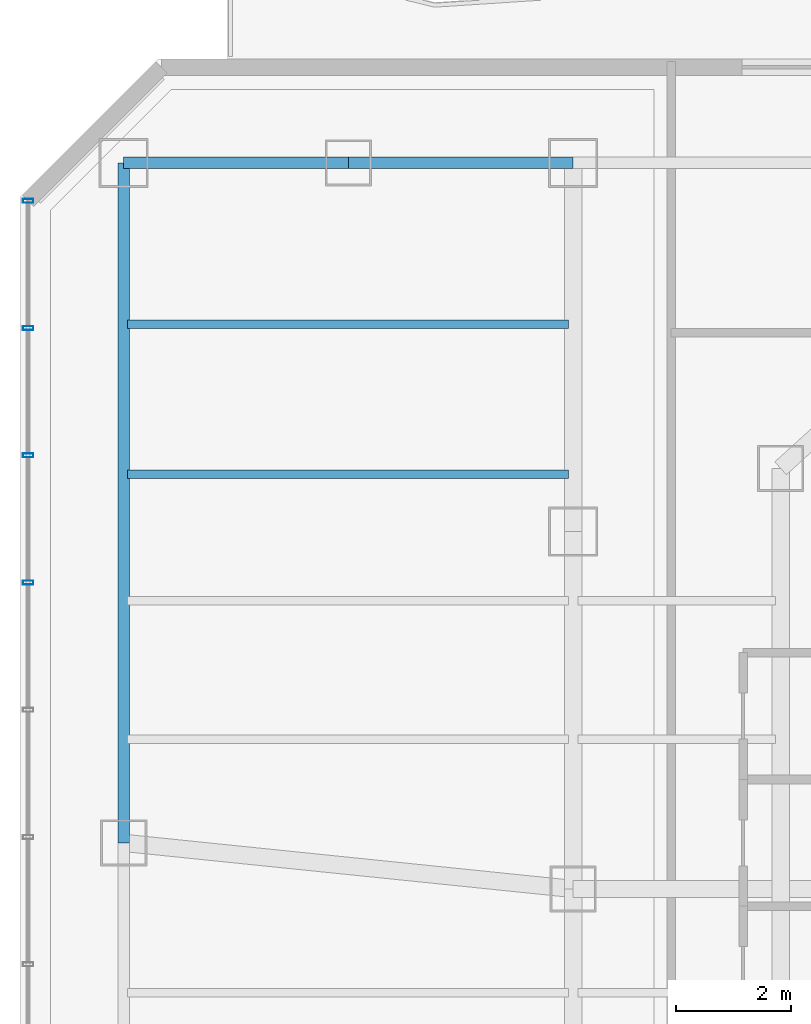
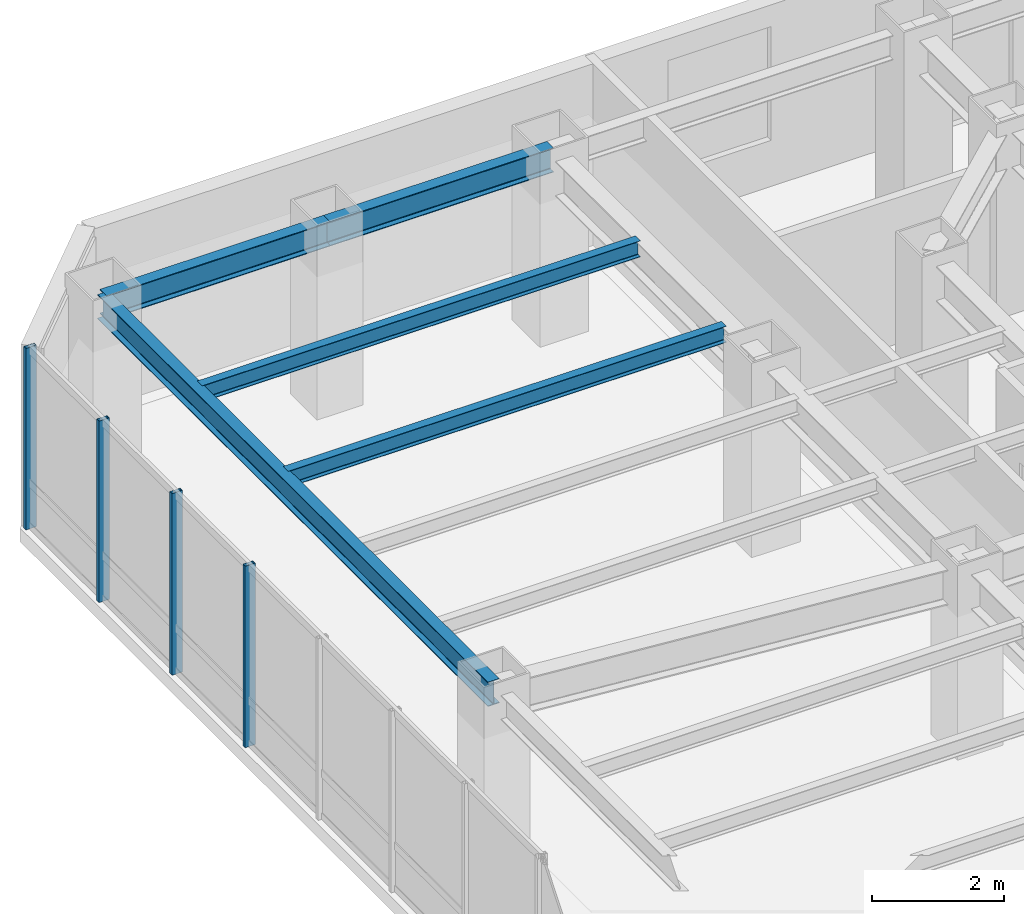
# One storey, part 17 of 26: 5 beams, 4 members, 1 element without a shape of its own.
"""IFC4 building model written with IfcOpenShell, lengths in metres."""

from ifc_helpers import new_model, si_unit, direction, frame, origin, origin_2d, place, context, subcontext, project, spatial, hollow_rectangle, i_section, extrude, material, layer, layer_set, material_profile, profile_set, type_object, element, aggregate, save


model = new_model("IFC4")

# Units and contexts
model_context = context("Model", 3, precision=1e-05, world=origin(), true_north=direction((0.0, 1.0)))
body_context = subcontext(model_context, "Body", "Model", "MODEL_VIEW")
ifc_project = project(units=[si_unit("LENGTHUNIT", "METRE"), si_unit("AREAUNIT", "SQUARE_METRE"), si_unit("VOLUMEUNIT", "CUBIC_METRE"), si_unit("PLANEANGLEUNIT", "RADIAN"), si_unit("MASSUNIT", "GRAM", prefix="KILO")], contexts=[model_context])

# Site, building, storey
site_placement = place(None, origin())
site = spatial("IfcSite", under=ifc_project, at=site_placement, CompositionType="ELEMENT")
building_placement = place(site_placement, origin())
building = spatial("IfcBuilding", under=site, at=building_placement, Name="Hatsunagi Terrace Concourse", CompositionType="ELEMENT")
storey_placement = place(building_placement, frame((0.0, 0.0, 134.85009765625)))
storey = spatial("IfcBuildingStorey", under=building, at=storey_placement, Name="L35", CompositionType="ELEMENT", Elevation=134.85009765625)

# Curtain wall, members
ifc_material_1 = material(Name="Anodised Aluminium Alloy 6063-T5", Category="aluminium")
ifc_layer = layer(ifc_material_1, 0.199951171875)
ifc_layer_set = layer_set([ifc_layer], Name="OfficeZone1_CW03")
curtain_wall_type = type_object("IfcCurtainWallType", Name="OfficeZone1_CW03", PredefinedType="NOTDEFINED", material=ifc_layer_set)
curtain_wall_placement = place(storey_placement, origin())
curtain_wall = element("IfcCurtainWall", 1, at=curtain_wall_placement, inside=storey, type_object=curtain_wall_type, Name="Unitised Curtain Wall CW-03 CW-L35-09", PredefinedType="NOTDEFINED")
ifc_material_2 = material(Name="Anodised Aluminium Alloy 6063-T5", Category="aluminium")
ifc_material_profile_1 = material_profile(ifc_material_2, hollow_rectangle(XDim=0.070068359375, YDim=0.179931640625, WallThickness=0.00390625, at=origin_2d()), Name="ALU-MUL-180x70x4")
ifc_profile_set_1 = profile_set([ifc_material_profile_1], Name="Anodised Aluminium Alloy 6063-T5")
member_type = type_object("IfcMemberType", Name="CurtainWallMullion_180x70", PredefinedType="MULLION", material=ifc_profile_set_1)
member_1_placement = place(storey_placement, frame((9.739990234375, 41.31689453125, 0.0), z_axis=(0.0, 0.0, 1.0), x_axis=(0.0, 1.0, 0.0)))
member_1 = element("IfcMember", 2, at=member_1_placement, type_object=member_type, Name="Curtain Wall Mullion MUL-02", PredefinedType="MULLION", context=body_context, shape_type="SweptSolid", body=[
    extrude(hollow_rectangle(XDim=0.070068359375, YDim=0.179931640625, WallThickness=0.00390625, at=origin_2d()), origin(), (0.0, 0.0, 1.0), 3.349853515625),
])
member_2_placement = place(storey_placement, frame((9.739990234375, 43.52490234375, 0.0), z_axis=(0.0, 0.0, 1.0), x_axis=(0.0, 1.0, 0.0)))
member_2 = element("IfcMember", 3, at=member_2_placement, type_object=member_type, Name="Curtain Wall Mullion MUL-02", PredefinedType="MULLION", context=body_context, shape_type="SweptSolid", body=[
    extrude(hollow_rectangle(XDim=0.070068359375, YDim=0.179931640625, WallThickness=0.00390625, at=origin_2d()), origin(), (0.0, 0.0, 1.0), 3.349853515625),
])
member_3_placement = place(storey_placement, frame((9.739990234375, 45.73388671875, 0.0), z_axis=(0.0, 0.0, 1.0), x_axis=(0.0, 1.0, 0.0)))
member_3 = element("IfcMember", 4, at=member_3_placement, type_object=member_type, Name="Curtain Wall Mullion MUL-02", PredefinedType="MULLION", context=body_context, shape_type="SweptSolid", body=[
    extrude(hollow_rectangle(XDim=0.070068359375, YDim=0.179931640625, WallThickness=0.00390625, at=origin_2d()), origin(), (0.0, 0.0, 1.0), 3.349853515625),
])
member_4_placement = place(storey_placement, frame((9.739990234375, 47.94189453125, 0.0), z_axis=(0.0, 0.0, 1.0), x_axis=(0.0, 1.0, 0.0)))
member_4 = element("IfcMember", 5, at=member_4_placement, type_object=member_type, Name="Curtain Wall Mullion MUL-02", PredefinedType="MULLION", context=body_context, shape_type="SweptSolid", body=[
    extrude(hollow_rectangle(XDim=0.070068359375, YDim=0.179931640625, WallThickness=0.00390625, at=origin_2d()), origin(), (0.0, 0.0, 1.0), 3.349853515625),
])
aggregate(curtain_wall, [member_1, member_2, member_3, member_4])

# Beams
ifc_material_3 = material(Name="Steel SN490B", Category="steel")
ifc_material_profile_2 = material_profile(ifc_material_3, i_section(OverallWidth=0.14990234375, OverallDepth=0.300048828125, WebThickness=0.006591796875, FlangeThickness=0.009033203125, FilletRadius=0.010986328125, at=origin_2d()), Name="H-300x150x6.5x9")
ifc_profile_set_2 = profile_set([ifc_material_profile_2], Name="Steel SN490B")
beam_type_1 = type_object("IfcBeamType", Name="OfficeJoist_H_300x150", PredefinedType="JOIST", material=ifc_profile_set_2)
for number, where, z_axis, x_axis, name in (
    (6, (11.465087890625, 43.199951171875, 3.199951171875), (1.0, 0.0, 0.0), (0.0, 1.0, 0.0), "Beam J-03 J-L35-W-11-432"),
    (7, (11.465087890625, 45.800048828125, 3.199951171875), (1.0, 0.0, 0.0), (0.0, 1.0, 0.0), "Beam J-03 J-L35-W-11-458"),
):
    element("IfcBeam", number, at=place(storey_placement, frame(where, z_axis=z_axis, x_axis=x_axis)), inside=storey, type_object=beam_type_1, Name=name, PredefinedType="JOIST", context=body_context, shape_type="SweptSolid", body=[
        extrude(i_section(OverallWidth=0.14990234375, OverallDepth=0.300048828125, WebThickness=0.006591796875, FlangeThickness=0.009033203125, FilletRadius=0.010986328125, at=origin_2d()), origin(), (0.0, 0.0, 1.0), 7.64990234375),
    ])
ifc_material_4 = material(Name="Steel SN490B", Category="steel")
ifc_material_profile_3 = material_profile(ifc_material_4, i_section(OverallWidth=0.199951171875, OverallDepth=0.449951171875, WebThickness=0.009033203125, FlangeThickness=0.013916015625, FilletRadius=0.01611328125, at=origin_2d()), Name="H-450x200x9x14")
ifc_profile_set_3 = profile_set([ifc_material_profile_3], Name="Steel SN490B")
beam_type_2 = type_object("IfcBeamType", Name="PerimeterSpandrel_H_450x200", PredefinedType="SPANDREL", material=ifc_profile_set_3)
beam_1_placement = place(storey_placement, frame((11.39990234375, 48.60009765625, 3.125), z_axis=(1.0, 0.0, 0.0), x_axis=(0.0, 1.0, 0.0)))
element("IfcBeam", 8, at=beam_1_placement, inside=storey, type_object=beam_type_2, Name="Beam SP-02 BM-L35-WN-11", PredefinedType="SPANDREL", context=body_context, shape_type="SweptSolid", body=[
    extrude(i_section(OverallWidth=0.199951171875, OverallDepth=0.449951171875, WebThickness=0.009033203125, FlangeThickness=0.013916015625, FilletRadius=0.01611328125, at=origin_2d()), origin(), (0.0, 0.0, 1.0), 3.900146484375),
])
beam_2_placement = place(storey_placement, frame((15.300048828125, 48.60009765625, 3.125), z_axis=(1.0, 0.0, 0.0), x_axis=(0.0, 1.0, 0.0)))
element("IfcBeam", 9, at=beam_2_placement, inside=storey, type_object=beam_type_2, Name="Beam SP-02 BM-L35-WN-15", PredefinedType="SPANDREL", context=body_context, shape_type="SweptSolid", body=[
    extrude(i_section(OverallWidth=0.199951171875, OverallDepth=0.449951171875, WebThickness=0.009033203125, FlangeThickness=0.013916015625, FilletRadius=0.01611328125, at=origin_2d()), origin(), (0.0, 0.0, 1.0), 3.89990234375),
])
beam_3_placement = place(storey_placement, frame((11.39990234375, 36.800048828125, 3.125), z_axis=(0.0, 1.0, 0.0), x_axis=(-1.0, 0.0, 0.0)))
element("IfcBeam", 10, at=beam_3_placement, inside=storey, type_object=beam_type_2, Name="Beam SP-02 BM-L35-NS-11-36", PredefinedType="SPANDREL", context=body_context, shape_type="SweptSolid", body=[
    extrude(i_section(OverallWidth=0.199951171875, OverallDepth=0.449951171875, WebThickness=0.009033203125, FlangeThickness=0.013916015625, FilletRadius=0.01611328125, at=origin_2d()), origin(), (0.0, 0.0, 1.0), 11.800048828125),
])

save(model, "model.ifc")
